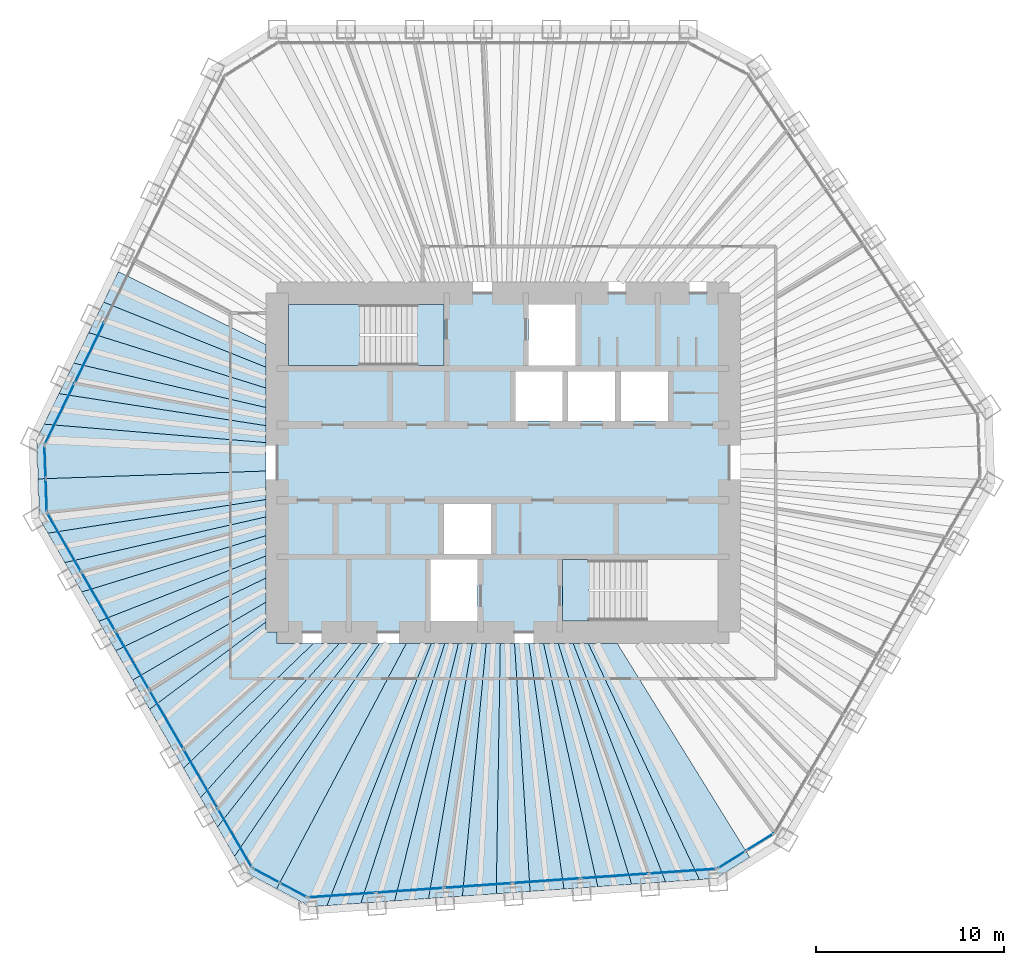
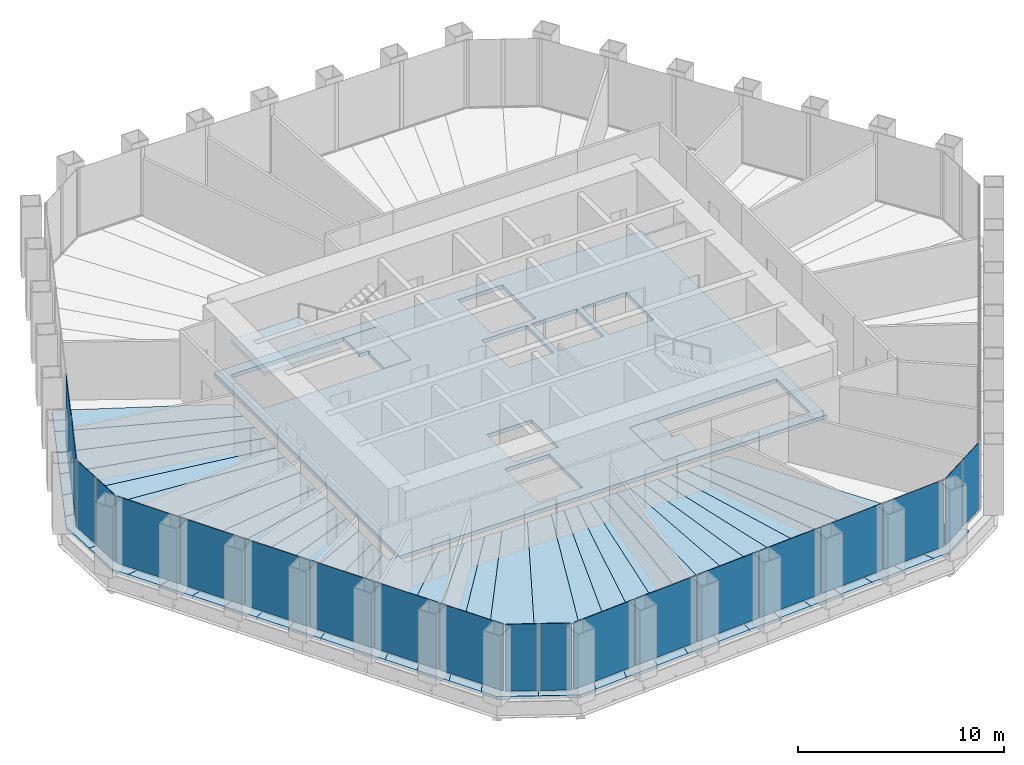
# One storey, part 8 of 14: 35 slabs, 20 plates, 8 elements without a shape of their own.
"""IFC4 building model written with IfcOpenShell, lengths in metres."""

from ifc_helpers import new_model, si_unit, direction, frame, origin, origin_2d, place, context, subcontext, project, spatial, polyline, rectangle, outline, extrude, material, layer, layer_set, type_object, element, aggregate, save


model = new_model("IFC4")

# Units and contexts
model_context = context("Model", 3, precision=1e-05, world=origin(), true_north=direction((0.0, 1.0)))
body_context = subcontext(model_context, "Body", "Model", "MODEL_VIEW")
ifc_project = project(units=[si_unit("LENGTHUNIT", "METRE"), si_unit("AREAUNIT", "SQUARE_METRE"), si_unit("VOLUMEUNIT", "CUBIC_METRE"), si_unit("PLANEANGLEUNIT", "RADIAN"), si_unit("MASSUNIT", "GRAM", prefix="KILO")], contexts=[model_context])

# Site, building, storey
site_placement = place(None, origin())
site = spatial("IfcSite", under=ifc_project, at=site_placement, CompositionType="ELEMENT")
building_placement = place(site_placement, origin())
building = spatial("IfcBuilding", under=site, at=building_placement, Name="Qingtian Harvest Tower", CompositionType="ELEMENT")
storey_placement = place(building_placement, frame((0.0, 0.0, 239.199951171875)))
storey = spatial("IfcBuildingStorey", under=building, at=storey_placement, Name="L52", CompositionType="ELEMENT", Elevation=239.199951171875)

# Slabs
ifc_material_1 = material(Name="Concrete fc' 35 MPa", Category="concrete")
ifc_layer_1 = layer(ifc_material_1, 0.169921875)
ifc_layer_set_1 = layer_set([ifc_layer_1], Name="Composite floor slab FS17 170")
slab_type_1 = type_object("IfcSlabType", Name="Composite floor slab FS17 170", PredefinedType="FLOOR", material=ifc_layer_set_1)
slab_1_placement = place(storey_placement, frame((0.0, 0.0, -0.169921875)))
element("IfcSlab", 1, at=slab_1_placement, inside=storey, type_object=slab_type_1, Name="Floor slab L52 panel D01", PredefinedType="FLOOR", context=body_context, shape_type="SweptSolid", body=[
    extrude(outline(polyline([(-24.6865234375, -0.862060546875), (-12.60009765625, -0.443115234375), (-12.60009765625, -1.958984375), (-24.17236328125, -3.742431640625), (-24.612548828125, -2.979736328125), (-24.6865234375, -0.862060546875)])), origin(), (0.0, 0.0, 1.0), 0.169921875),
])
slab_2_placement = place(storey_placement, frame((0.0, 0.0, -0.169921875)))
element("IfcSlab", 2, at=slab_2_placement, inside=storey, type_object=slab_type_1, Name="Floor slab L52 panel D02", PredefinedType="FLOOR", context=body_context, shape_type="SweptSolid", body=[
    extrude(outline(polyline([(-12.60009765625, -2.880126953125), (-23.271484375, -5.302490234375), (-24.17236328125, -3.742431640625), (-12.60009765625, -1.958984375), (-12.60009765625, -2.880126953125)])), origin(), (0.0, 0.0, 1.0), 0.169921875),
])
slab_3_placement = place(storey_placement, frame((0.0, 0.0, -0.169921875)))
element("IfcSlab", 3, at=slab_3_placement, inside=storey, type_object=slab_type_1, Name="Floor slab L52 panel D03", PredefinedType="FLOOR", context=body_context, shape_type="SweptSolid", body=[
    extrude(outline(polyline([(-12.60009765625, -3.87548828125), (-22.370849609375, -6.862548828125), (-23.271484375, -5.302490234375), (-12.60009765625, -2.880126953125), (-12.60009765625, -3.87548828125)])), origin(), (0.0, 0.0, 1.0), 0.169921875),
])
slab_4_placement = place(storey_placement, frame((0.0, 0.0, -0.169921875)))
element("IfcSlab", 4, at=slab_4_placement, inside=storey, type_object=slab_type_1, Name="Floor slab L52 panel D04", PredefinedType="FLOOR", context=body_context, shape_type="SweptSolid", body=[
    extrude(outline(polyline([(-12.60009765625, -4.95458984375), (-21.47021484375, -8.422607421875), (-22.370849609375, -6.862548828125), (-12.60009765625, -3.87548828125), (-12.60009765625, -4.95458984375)])), origin(), (0.0, 0.0, 1.0), 0.169921875),
])
slab_5_placement = place(storey_placement, frame((0.0, 0.0, -0.169921875)))
element("IfcSlab", 5, at=slab_5_placement, inside=storey, type_object=slab_type_1, Name="Floor slab L52 panel D05", PredefinedType="FLOOR", context=body_context, shape_type="SweptSolid", body=[
    extrude(outline(polyline([(-12.60009765625, -6.128173828125), (-20.569580078125, -9.982666015625), (-21.47021484375, -8.422607421875), (-12.60009765625, -4.95458984375), (-12.60009765625, -6.128173828125)])), origin(), (0.0, 0.0, 1.0), 0.169921875),
])
slab_6_placement = place(storey_placement, frame((0.0, 0.0, -0.169921875)))
element("IfcSlab", 6, at=slab_6_placement, inside=storey, type_object=slab_type_1, Name="Floor slab L52 panel D06", PredefinedType="FLOOR", context=body_context, shape_type="SweptSolid", body=[
    extrude(outline(polyline([(-12.60009765625, -7.409423828125), (-19.668701171875, -11.542724609375), (-20.569580078125, -9.982666015625), (-12.60009765625, -6.128173828125), (-12.60009765625, -7.409423828125)])), origin(), (0.0, 0.0, 1.0), 0.169921875),
])
slab_7_placement = place(storey_placement, frame((0.0, 0.0, -0.169921875)))
element("IfcSlab", 7, at=slab_7_placement, inside=storey, type_object=slab_type_1, Name="Floor slab L52 panel D07", PredefinedType="FLOOR", context=body_context, shape_type="SweptSolid", body=[
    extrude(outline(polyline([(-12.60009765625, -8.46435546875), (-18.771728515625, -13.0966796875), (-19.668701171875, -11.542724609375), (-12.60009765625, -7.409423828125), (-12.60009765625, -8.46435546875)])), origin(), (0.0, 0.0, 1.0), 0.169921875),
])
slab_8_placement = place(storey_placement, frame((0.0, 0.0, -0.169921875)))
element("IfcSlab", 8, at=slab_8_placement, inside=storey, type_object=slab_type_1, Name="Floor slab L52 panel D09", PredefinedType="FLOOR", context=body_context, shape_type="SweptSolid", body=[
    extrude(outline(polyline([(-16.967041015625, -16.22216796875), (-18.771728515625, -13.0966796875), (-12.60009765625, -8.46435546875), (-12.60009765625, -9.0), (-12.0, -9.0), (-12.0, -9.60009765625), (-10.07666015625, -9.60009765625), (-16.967041015625, -16.22216796875)])), origin(), (0.0, 0.0, 1.0), 0.169921875),
])
slab_9_placement = place(storey_placement, frame((0.0, 0.0, -0.169921875)))
element("IfcSlab", 9, at=slab_9_placement, inside=storey, type_object=slab_type_1, Name="Floor slab L52 panel D10", PredefinedType="FLOOR", context=body_context, shape_type="SweptSolid", body=[
    extrude(outline(polyline([(-8.700927734375, -9.60009765625), (-16.06640625, -17.7822265625), (-16.967041015625, -16.22216796875), (-10.07666015625, -9.60009765625), (-8.700927734375, -9.60009765625)])), origin(), (0.0, 0.0, 1.0), 0.169921875),
])
slab_10_placement = place(storey_placement, frame((0.0, 0.0, -0.169921875)))
element("IfcSlab", 10, at=slab_10_placement, inside=storey, type_object=slab_type_1, Name="Floor slab L52 panel D11", PredefinedType="FLOOR", context=body_context, shape_type="SweptSolid", body=[
    extrude(outline(polyline([(-7.548095703125, -9.60009765625), (-15.16552734375, -19.34228515625), (-16.06640625, -17.7822265625), (-8.700927734375, -9.60009765625), (-7.548095703125, -9.60009765625)])), origin(), (0.0, 0.0, 1.0), 0.169921875),
])
slab_11_placement = place(storey_placement, frame((0.0, 0.0, -0.169921875)))
element("IfcSlab", 11, at=slab_11_placement, inside=storey, type_object=slab_type_1, Name="Floor slab L52 panel D12", PredefinedType="FLOOR", context=body_context, shape_type="SweptSolid", body=[
    extrude(outline(polyline([(-6.568359375, -9.60009765625), (-14.264892578125, -20.90234375), (-15.16552734375, -19.34228515625), (-7.548095703125, -9.60009765625), (-6.568359375, -9.60009765625)])), origin(), (0.0, 0.0, 1.0), 0.169921875),
])
slab_12_placement = place(storey_placement, frame((0.0, 0.0, -0.169921875)))
element("IfcSlab", 12, at=slab_12_placement, inside=storey, type_object=slab_type_1, Name="Floor slab L52 panel D13", PredefinedType="FLOOR", context=body_context, shape_type="SweptSolid", body=[
    extrude(outline(polyline([(-6.568359375, -9.60009765625), (-5.14501953125, -9.60009765625), (-12.028076171875, -22.620361328125), (-13.82470703125, -21.6650390625), (-14.264892578125, -20.90234375), (-6.568359375, -9.60009765625)])), origin(), (0.0, 0.0, 1.0), 0.169921875),
])
slab_13_placement = place(storey_placement, frame((0.0, 0.0, -0.169921875)))
element("IfcSlab", 13, at=slab_13_placement, inside=storey, type_object=slab_type_1, Name="Floor slab L52 panel D14", PredefinedType="FLOOR", context=body_context, shape_type="SweptSolid", body=[
    extrude(outline(polyline([(-5.14501953125, -9.60009765625), (-3.817138671875, -9.60009765625), (-9.352294921875, -23.5146484375), (-10.23046875, -23.576171875), (-12.028076171875, -22.620361328125), (-5.14501953125, -9.60009765625)])), origin(), (0.0, 0.0, 1.0), 0.169921875),
])
slab_14_placement = place(storey_placement, frame((0.0, 0.0, -0.169921875)))
element("IfcSlab", 14, at=slab_14_placement, inside=storey, type_object=slab_type_1, Name="Floor slab L52 panel D15", PredefinedType="FLOOR", context=body_context, shape_type="SweptSolid", body=[
    extrude(outline(polyline([(-3.10009765625, -9.60009765625), (-7.55517578125, -23.388916015625), (-9.352294921875, -23.5146484375), (-3.817138671875, -9.60009765625), (-3.10009765625, -9.60009765625)])), origin(), (0.0, 0.0, 1.0), 0.169921875),
])
slab_15_placement = place(storey_placement, frame((0.0, 0.0, -0.169921875)))
element("IfcSlab", 15, at=slab_15_placement, inside=storey, type_object=slab_type_1, Name="Floor slab L52 panel D16", PredefinedType="FLOOR", context=body_context, shape_type="SweptSolid", body=[
    extrude(outline(polyline([(-2.375244140625, -9.60009765625), (-5.75830078125, -23.263427734375), (-7.55517578125, -23.388916015625), (-3.10009765625, -9.60009765625), (-2.375244140625, -9.60009765625)])), origin(), (0.0, 0.0, 1.0), 0.169921875),
])
slab_16_placement = place(storey_placement, frame((0.0, 0.0, -0.169921875)))
element("IfcSlab", 16, at=slab_16_placement, inside=storey, type_object=slab_type_1, Name="Floor slab L52 panel D17", PredefinedType="FLOOR", context=body_context, shape_type="SweptSolid", body=[
    extrude(outline(polyline([(-1.642578125, -9.60009765625), (-3.96142578125, -23.1376953125), (-5.75830078125, -23.263427734375), (-2.375244140625, -9.60009765625), (-1.642578125, -9.60009765625)])), origin(), (0.0, 0.0, 1.0), 0.169921875),
])
slab_17_placement = place(storey_placement, frame((0.0, 0.0, -0.169921875)))
element("IfcSlab", 17, at=slab_17_placement, inside=storey, type_object=slab_type_1, Name="Floor slab L52 panel D18", PredefinedType="FLOOR", context=body_context, shape_type="SweptSolid", body=[
    extrude(outline(polyline([(-0.90185546875, -9.60009765625), (-2.164306640625, -23.011962890625), (-3.96142578125, -23.1376953125), (-1.642578125, -9.60009765625), (-0.90185546875, -9.60009765625)])), origin(), (0.0, 0.0, 1.0), 0.169921875),
])
slab_18_placement = place(storey_placement, frame((0.0, 0.0, -0.169921875)))
element("IfcSlab", 18, at=slab_18_placement, inside=storey, type_object=slab_type_1, Name="Floor slab L52 panel D19", PredefinedType="FLOOR", context=body_context, shape_type="SweptSolid", body=[
    extrude(outline(polyline([(-0.153076171875, -9.60009765625), (-0.367431640625, -22.886474609375), (-2.164306640625, -23.011962890625), (-0.90185546875, -9.60009765625), (-0.153076171875, -9.60009765625)])), origin(), (0.0, 0.0, 1.0), 0.169921875),
])
slab_19_placement = place(storey_placement, frame((0.0, 0.0, -0.169921875)))
element("IfcSlab", 19, at=slab_19_placement, inside=storey, type_object=slab_type_1, Name="Floor slab L52 panel D20", PredefinedType="FLOOR", context=body_context, shape_type="SweptSolid", body=[
    extrude(outline(polyline([(0.60400390625, -9.60009765625), (1.4296875, -22.7607421875), (-0.367431640625, -22.886474609375), (-0.153076171875, -9.60009765625), (0.60400390625, -9.60009765625)])), origin(), (0.0, 0.0, 1.0), 0.169921875),
])
slab_20_placement = place(storey_placement, frame((0.0, 0.0, -0.169921875)))
element("IfcSlab", 20, at=slab_20_placement, inside=storey, type_object=slab_type_1, Name="Floor slab L52 panel D21", PredefinedType="FLOOR", context=body_context, shape_type="SweptSolid", body=[
    extrude(outline(polyline([(1.36962890625, -9.60009765625), (3.2265625, -22.635009765625), (1.4296875, -22.7607421875), (0.60400390625, -9.60009765625), (1.36962890625, -9.60009765625)])), origin(), (0.0, 0.0, 1.0), 0.169921875),
])
slab_21_placement = place(storey_placement, frame((0.0, 0.0, -0.169921875)))
element("IfcSlab", 21, at=slab_21_placement, inside=storey, type_object=slab_type_1, Name="Floor slab L52 panel D22", PredefinedType="FLOOR", context=body_context, shape_type="SweptSolid", body=[
    extrude(outline(polyline([(2.1435546875, -9.60009765625), (5.023681640625, -22.509521484375), (3.2265625, -22.635009765625), (1.36962890625, -9.60009765625), (2.1435546875, -9.60009765625)])), origin(), (0.0, 0.0, 1.0), 0.169921875),
])
slab_22_placement = place(storey_placement, frame((0.0, 0.0, -0.169921875)))
element("IfcSlab", 22, at=slab_22_placement, inside=storey, type_object=slab_type_1, Name="Floor slab L52 panel D23", PredefinedType="FLOOR", context=body_context, shape_type="SweptSolid", body=[
    extrude(outline(polyline([(2.92626953125, -9.60009765625), (6.820556640625, -22.3837890625), (5.023681640625, -22.509521484375), (2.1435546875, -9.60009765625), (2.92626953125, -9.60009765625)])), origin(), (0.0, 0.0, 1.0), 0.169921875),
])
slab_23_placement = place(storey_placement, frame((0.0, 0.0, -0.169921875)))
element("IfcSlab", 23, at=slab_23_placement, inside=storey, type_object=slab_type_1, Name="Floor slab L52 panel D24", PredefinedType="FLOOR", context=body_context, shape_type="SweptSolid", body=[
    extrude(outline(polyline([(3.718017578125, -9.60009765625), (8.61767578125, -22.258056640625), (6.820556640625, -22.3837890625), (2.92626953125, -9.60009765625), (3.718017578125, -9.60009765625)])), origin(), (0.0, 0.0, 1.0), 0.169921875),
])
slab_24_placement = place(storey_placement, frame((0.0, 0.0, -0.169921875)))
element("IfcSlab", 24, at=slab_24_placement, inside=storey, type_object=slab_type_1, Name="Floor slab L52 panel D25", PredefinedType="FLOOR", context=body_context, shape_type="SweptSolid", body=[
    extrude(outline(polyline([(4.5185546875, -9.60009765625), (10.41455078125, -22.13232421875), (8.61767578125, -22.258056640625), (3.718017578125, -9.60009765625), (4.5185546875, -9.60009765625)])), origin(), (0.0, 0.0, 1.0), 0.169921875),
])
slab_25_placement = place(storey_placement, frame((0.0, 0.0, -0.169921875)))
element("IfcSlab", 25, at=slab_25_placement, inside=storey, type_object=slab_type_1, Name="Floor slab L52 panel D26", PredefinedType="FLOOR", context=body_context, shape_type="SweptSolid", body=[
    extrude(outline(polyline([(4.5185546875, -9.60009765625), (6.059326171875, -9.60009765625), (13.090576171875, -20.94775390625), (11.292724609375, -22.071044921875), (10.41455078125, -22.13232421875), (4.5185546875, -9.60009765625)])), origin(), (0.0, 0.0, 1.0), 0.169921875),
])
slab_26_placement = place(storey_placement, frame((0.0, 0.0, -0.169921875)))
element("IfcSlab", 26, at=slab_26_placement, inside=storey, type_object=slab_type_1, Name="Floor slab L52 panel D73", PredefinedType="FLOOR", context=body_context, shape_type="SweptSolid", body=[
    extrude(outline(polyline([(-12.60009765625, 5.072509765625), (-21.2158203125, 8.5234375), (-20.426025390625, 10.142578125), (-12.60009765625, 6.268310546875), (-12.60009765625, 5.072509765625)])), origin(), (0.0, 0.0, 1.0), 0.169921875),
])
slab_27_placement = place(storey_placement, frame((0.0, 0.0, -0.169921875)))
element("IfcSlab", 27, at=slab_27_placement, inside=storey, type_object=slab_type_1, Name="Floor slab L52 panel D74", PredefinedType="FLOOR", context=body_context, shape_type="SweptSolid", body=[
    extrude(outline(polyline([(-12.60009765625, 3.962890625), (-22.00537109375, 6.904296875), (-21.2158203125, 8.5234375), (-12.60009765625, 5.072509765625), (-12.60009765625, 3.962890625)])), origin(), (0.0, 0.0, 1.0), 0.169921875),
])
slab_28_placement = place(storey_placement, frame((0.0, 0.0, -0.169921875)))
element("IfcSlab", 28, at=slab_28_placement, inside=storey, type_object=slab_type_1, Name="Floor slab L52 panel D75", PredefinedType="FLOOR", context=body_context, shape_type="SweptSolid", body=[
    extrude(outline(polyline([(-12.60009765625, 2.929931640625), (-22.795166015625, 5.28515625), (-22.00537109375, 6.904296875), (-12.60009765625, 3.962890625), (-12.60009765625, 2.929931640625)])), origin(), (0.0, 0.0, 1.0), 0.169921875),
])
slab_29_placement = place(storey_placement, frame((0.0, 0.0, -0.169921875)))
element("IfcSlab", 29, at=slab_29_placement, inside=storey, type_object=slab_type_1, Name="Floor slab L52 panel D76", PredefinedType="FLOOR", context=body_context, shape_type="SweptSolid", body=[
    extrude(outline(polyline([(-12.60009765625, 1.96630859375), (-23.584716796875, 3.666259765625), (-22.795166015625, 5.28515625), (-12.60009765625, 2.929931640625), (-12.60009765625, 1.96630859375)])), origin(), (0.0, 0.0, 1.0), 0.169921875),
])
slab_30_placement = place(storey_placement, frame((0.0, 0.0, -0.169921875)))
element("IfcSlab", 30, at=slab_30_placement, inside=storey, type_object=slab_type_1, Name="Floor slab L52 panel D77", PredefinedType="FLOOR", context=body_context, shape_type="SweptSolid", body=[
    extrude(outline(polyline([(-12.60009765625, 1.065185546875), (-24.37451171875, 2.047119140625), (-23.584716796875, 3.666259765625), (-12.60009765625, 1.96630859375), (-12.60009765625, 1.065185546875)])), origin(), (0.0, 0.0, 1.0), 0.169921875),
])
slab_31_placement = place(storey_placement, frame((0.0, 0.0, -0.169921875)))
element("IfcSlab", 31, at=slab_31_placement, inside=storey, type_object=slab_type_1, Name="Floor slab L52 panel D78", PredefinedType="FLOOR", context=body_context, shape_type="SweptSolid", body=[
    extrude(outline(polyline([(-12.60009765625, 1.065185546875), (-12.60009765625, -0.443115234375), (-24.6865234375, -0.862060546875), (-24.760498046875, 1.255615234375), (-24.37451171875, 2.047119140625), (-12.60009765625, 1.065185546875)])), origin(), (0.0, 0.0, 1.0), 0.169921875),
])
ifc_material_2 = material(Name="Concrete fc' 35 MPa", Category="concrete")
ifc_layer_2 = layer(ifc_material_2, 0.219970703125)
ifc_layer_set_2 = layer_set([ifc_layer_2], Name="Core floor slab CS22 220")
slab_type_2 = type_object("IfcSlabType", Name="Core floor slab CS22 220", PredefinedType="FLOOR", material=ifc_layer_set_2)
slab_32_placement = place(storey_placement, frame((0.0, 0.0, -0.219970703125)))
element("IfcSlab", 32, at=slab_32_placement, inside=storey, type_object=slab_type_2, Name="Core floor slab L52", PredefinedType="FLOOR", context=body_context, shape_type="SweptSolid", body=[
    extrude(outline(polyline([(-12.0, -9.0), (12.0, -9.0), (12.0, 9.0), (-12.0, 9.0), (-12.0, -9.0)]), holes=[polyline([(-11.39990234375, 5.14990234375), (-3.14990234375, 5.14990234375), (-3.14990234375, 8.39990234375), (-11.39990234375, 8.39990234375), (-11.39990234375, 5.14990234375)]), polyline([(3.14990234375, -8.39990234375), (11.39990234375, -8.39990234375), (11.39990234375, -5.14990234375), (3.14990234375, -5.14990234375), (3.14990234375, -8.39990234375)]), polyline([(1.35009765625, 5.14990234375), (3.85009765625, 5.14990234375), (3.85009765625, 8.39990234375), (1.35009765625, 8.39990234375), (1.35009765625, 5.14990234375)]), polyline([(-3.85009765625, -8.39990234375), (-1.35009765625, -8.39990234375), (-1.35009765625, -5.14990234375), (-3.85009765625, -5.14990234375), (-3.85009765625, -8.39990234375)]), polyline([(0.64990234375, 2.199951171875), (3.14990234375, 2.199951171875), (3.14990234375, 4.85009765625), (0.64990234375, 4.85009765625), (0.64990234375, 2.199951171875)]), polyline([(3.449951171875, 2.199951171875), (5.949951171875, 2.199951171875), (5.949951171875, 4.85009765625), (3.449951171875, 4.85009765625), (3.449951171875, 2.199951171875)]), polyline([(6.25, 2.199951171875), (8.75, 2.199951171875), (8.75, 4.85009765625), (6.25, 4.85009765625), (6.25, 2.199951171875)]), polyline([(-3.14990234375, -4.85009765625), (-0.64990234375, -4.85009765625), (-0.64990234375, -2.199951171875), (-3.14990234375, -2.199951171875), (-3.14990234375, -4.85009765625)])]), origin(), (0.0, 0.0, 1.0), 0.219970703125),
])

# Curtain wall, plates
ifc_material_3 = material(Name="Bronze-anodised aluminium curtain wall", Category="aluminium")
curtain_wall_type = type_object("IfcCurtainWallType", Name="Curtain wall CW4 office", PredefinedType="USERDEFINED", material=ifc_material_3)
curtain_wall_1_placement = place(storey_placement, origin())
curtain_wall_1 = element("IfcCurtainWall", 33, at=curtain_wall_1_placement, inside=storey, type_object=curtain_wall_type, Name="Curtain wall CW4 L52 SEC", ObjectType="RECESSED CURTAIN WALL", PredefinedType="USERDEFINED")
ifc_material_4 = material(Name="Bronze-tinted laminated insulating glass", Category="glass")
ifc_layer_3 = layer(ifc_material_4, 0.030029296875)
ifc_layer_set_3 = layer_set([ifc_layer_3], Name="Glazed panel CWP tinted IGU")
plate_type = type_object("IfcPlateType", Name="Glazed panel CWP tinted IGU", PredefinedType="CURTAIN_PANEL", material=ifc_layer_set_3)
plate_1_placement = place(storey_placement, frame((13.624755859375, -20.1455078125, 0.06494140625), z_axis=(0.0, 0.0, 1.0), x_axis=(-0.848048096156, -0.529919264233, 0.0)))
plate_1 = element("IfcPlate", 34, at=plate_1_placement, type_object=plate_type, Name="CW4 panel 1.1", PredefinedType="CURTAIN_PANEL", context=body_context, shape_type="SweptSolid", body=[
    extrude(rectangle(XDim=1.69287109375, YDim=0.030029296875, at=origin_2d()), origin(), (0.0, 0.0, 1.0), 3.965087890625),
])
plate_2_placement = place(storey_placement, frame((12.134033203125, -21.076904296875, 0.06494140625), z_axis=(0.0, 0.0, 1.0), x_axis=(-0.848048096156, -0.529919264233, 0.0)))
plate_2 = element("IfcPlate", 35, at=plate_2_placement, type_object=plate_type, Name="CW4 panel 2.1", PredefinedType="CURTAIN_PANEL", context=body_context, shape_type="SweptSolid", body=[
    extrude(rectangle(XDim=1.69287109375, YDim=0.030029296875, at=origin_2d()), origin(), (0.0, 0.0, 1.0), 3.965087890625),
])
aggregate(curtain_wall_1, [plate_1, plate_2])

curtain_wall_2_placement = place(storey_placement, origin())
curtain_wall_2 = element("IfcCurtainWall", 36, at=curtain_wall_2_placement, inside=storey, type_object=curtain_wall_type, Name="Curtain wall CW4 L52 S0-5", ObjectType="RECESSED CURTAIN WALL", PredefinedType="USERDEFINED")
plate_3_placement = place(storey_placement, frame((9.532470703125, -21.68798828125, 0.06494140625), z_axis=(0.0, 0.0, 1.0), x_axis=(-0.99756405026, -0.069756473744, 0.0)))
plate_3 = element("IfcPlate", 37, at=plate_3_placement, type_object=plate_type, Name="CW4 panel 1.1", PredefinedType="CURTAIN_PANEL", context=body_context, shape_type="SweptSolid", body=[
    extrude(rectangle(XDim=3.5361328125, YDim=0.030029296875, at=origin_2d()), origin(), (0.0, 0.0, 1.0), 3.965087890625),
])
plate_4_placement = place(storey_placement, frame((5.923828125, -21.940185546875, 0.06494140625), z_axis=(0.0, 0.0, 1.0), x_axis=(-0.99756405026, -0.069756473744, 0.0)))
plate_4 = element("IfcPlate", 38, at=plate_4_placement, type_object=plate_type, Name="CW4 panel 2.1", PredefinedType="CURTAIN_PANEL", context=body_context, shape_type="SweptSolid", body=[
    extrude(rectangle(XDim=3.568603515625, YDim=0.030029296875, at=origin_2d()), origin(), (0.0, 0.0, 1.0), 3.965087890625),
])
plate_5_placement = place(storey_placement, frame((2.299072265625, -22.193603515625, 0.06494140625), z_axis=(0.0, 0.0, 1.0), x_axis=(-0.99756405026, -0.069756473744, 0.0)))
plate_5 = element("IfcPlate", 39, at=plate_5_placement, type_object=plate_type, Name="CW4 panel 3.1", PredefinedType="CURTAIN_PANEL", context=body_context, shape_type="SweptSolid", body=[
    extrude(rectangle(XDim=3.568603515625, YDim=0.030029296875, at=origin_2d()), origin(), (0.0, 0.0, 1.0), 3.965087890625),
])
plate_6_placement = place(storey_placement, frame((-1.325439453125, -22.447021484375, 0.06494140625), z_axis=(0.0, 0.0, 1.0), x_axis=(-0.99756405026, -0.069756473744, 0.0)))
plate_6 = element("IfcPlate", 40, at=plate_6_placement, type_object=plate_type, Name="CW4 panel 4.1", PredefinedType="CURTAIN_PANEL", context=body_context, shape_type="SweptSolid", body=[
    extrude(rectangle(XDim=3.568603515625, YDim=0.030029296875, at=origin_2d()), origin(), (0.0, 0.0, 1.0), 3.965087890625),
])
plate_7_placement = place(storey_placement, frame((-4.9501953125, -22.70068359375, 0.06494140625), z_axis=(0.0, 0.0, 1.0), x_axis=(-0.99756405026, -0.069756473744, 0.0)))
plate_7 = element("IfcPlate", 41, at=plate_7_placement, type_object=plate_type, Name="CW4 panel 5.1", PredefinedType="CURTAIN_PANEL", context=body_context, shape_type="SweptSolid", body=[
    extrude(rectangle(XDim=3.568603515625, YDim=0.030029296875, at=origin_2d()), origin(), (0.0, 0.0, 1.0), 3.965087890625),
])
plate_8_placement = place(storey_placement, frame((-8.55859375, -22.952880859375, 0.06494140625), z_axis=(0.0, 0.0, 1.0), x_axis=(-0.99756405026, -0.069756473744, 0.0)))
plate_8 = element("IfcPlate", 42, at=plate_8_placement, type_object=plate_type, Name="CW4 panel 6.1", PredefinedType="CURTAIN_PANEL", context=body_context, shape_type="SweptSolid", body=[
    extrude(rectangle(XDim=3.5361328125, YDim=0.030029296875, at=origin_2d()), origin(), (0.0, 0.0, 1.0), 3.965087890625),
])
aggregate(curtain_wall_2, [plate_3, plate_4, plate_5, plate_6, plate_7, plate_8])

curtain_wall_3_placement = place(storey_placement, origin())
curtain_wall_3 = element("IfcCurtainWall", 43, at=curtain_wall_3_placement, inside=storey, type_object=curtain_wall_type, Name="Curtain wall CW4 L52 SC", ObjectType="RECESSED CURTAIN WALL", PredefinedType="USERDEFINED")
plate_9_placement = place(storey_placement, frame((-11.136474609375, -22.682373046875, 0.06494140625), z_axis=(0.0, 0.0, 1.0), x_axis=(-0.882947592859, 0.469471562786, 0.0)))
plate_9 = element("IfcPlate", 44, at=plate_9_placement, type_object=plate_type, Name="CW4 panel 1.1", PredefinedType="CURTAIN_PANEL", context=body_context, shape_type="SweptSolid", body=[
    extrude(rectangle(XDim=1.56689453125, YDim=0.030029296875, at=origin_2d()), origin(), (0.0, 0.0, 1.0), 3.965087890625),
])
plate_10_placement = place(storey_placement, frame((-12.5771484375, -21.916259765625, 0.06494140625), z_axis=(0.0, 0.0, 1.0), x_axis=(-0.882947592859, 0.469471562786, 0.0)))
plate_10 = element("IfcPlate", 45, at=plate_10_placement, type_object=plate_type, Name="CW4 panel 2.1", PredefinedType="CURTAIN_PANEL", context=body_context, shape_type="SweptSolid", body=[
    extrude(rectangle(XDim=1.56689453125, YDim=0.030029296875, at=origin_2d()), origin(), (0.0, 0.0, 1.0), 3.965087890625),
])
aggregate(curtain_wall_3, [plate_9, plate_10])

curtain_wall_4_placement = place(storey_placement, origin())
curtain_wall_4 = element("IfcCurtainWall", 46, at=curtain_wall_4_placement, inside=storey, type_object=curtain_wall_type, Name="Curtain wall CW4 L52 SW0-5", ObjectType="RECESSED CURTAIN WALL", PredefinedType="USERDEFINED")
plate_11_placement = place(storey_placement, frame((-14.242919921875, -19.9306640625, 0.06494140625), z_axis=(0.0, 0.0, 1.0), x_axis=(-0.5, 0.866025403784, 0.0)))
plate_11 = element("IfcPlate", 47, at=plate_11_placement, type_object=plate_type, Name="CW4 panel 1.1", PredefinedType="CURTAIN_PANEL", context=body_context, shape_type="SweptSolid", body=[
    extrude(rectangle(XDim=3.5361328125, YDim=0.030029296875, at=origin_2d()), origin(), (0.0, 0.0, 1.0), 3.965087890625),
])
plate_12_placement = place(storey_placement, frame((-16.051513671875, -16.7978515625, 0.06494140625), z_axis=(0.0, 0.0, 1.0), x_axis=(-0.5, 0.866025403784, 0.0)))
plate_12 = element("IfcPlate", 48, at=plate_12_placement, type_object=plate_type, Name="CW4 panel 2.1", PredefinedType="CURTAIN_PANEL", context=body_context, shape_type="SweptSolid", body=[
    extrude(rectangle(XDim=3.568603515625, YDim=0.030029296875, at=origin_2d()), origin(), (0.0, 0.0, 1.0), 3.965087890625),
])
plate_13_placement = place(storey_placement, frame((-17.868408203125, -13.651123046875, 0.06494140625), z_axis=(0.0, 0.0, 1.0), x_axis=(-0.5, 0.866025403784, 0.0)))
plate_13 = element("IfcPlate", 49, at=plate_13_placement, type_object=plate_type, Name="CW4 panel 3.1", PredefinedType="CURTAIN_PANEL", context=body_context, shape_type="SweptSolid", body=[
    extrude(rectangle(XDim=3.568603515625, YDim=0.030029296875, at=origin_2d()), origin(), (0.0, 0.0, 1.0), 3.965087890625),
])
plate_14_placement = place(storey_placement, frame((-19.68505859375, -10.50439453125, 0.06494140625), z_axis=(0.0, 0.0, 1.0), x_axis=(-0.5, 0.866025403784, 0.0)))
plate_14 = element("IfcPlate", 50, at=plate_14_placement, type_object=plate_type, Name="CW4 panel 4.1", PredefinedType="CURTAIN_PANEL", context=body_context, shape_type="SweptSolid", body=[
    extrude(rectangle(XDim=3.568603515625, YDim=0.030029296875, at=origin_2d()), origin(), (0.0, 0.0, 1.0), 3.965087890625),
])
plate_15_placement = place(storey_placement, frame((-21.501953125, -7.357666015625, 0.06494140625), z_axis=(0.0, 0.0, 1.0), x_axis=(-0.5, 0.866025403784, 0.0)))
plate_15 = element("IfcPlate", 51, at=plate_15_placement, type_object=plate_type, Name="CW4 panel 5.1", PredefinedType="CURTAIN_PANEL", context=body_context, shape_type="SweptSolid", body=[
    extrude(rectangle(XDim=3.568603515625, YDim=0.030029296875, at=origin_2d()), origin(), (0.0, 0.0, 1.0), 3.965087890625),
])
plate_16_placement = place(storey_placement, frame((-23.310546875, -4.22509765625, 0.06494140625), z_axis=(0.0, 0.0, 1.0), x_axis=(-0.5, 0.866025403784, 0.0)))
plate_16 = element("IfcPlate", 52, at=plate_16_placement, type_object=plate_type, Name="CW4 panel 6.1", PredefinedType="CURTAIN_PANEL", context=body_context, shape_type="SweptSolid", body=[
    extrude(rectangle(XDim=3.5361328125, YDim=0.030029296875, at=origin_2d()), origin(), (0.0, 0.0, 1.0), 3.965087890625),
])
aggregate(curtain_wall_4, [plate_11, plate_12, plate_13, plate_14, plate_15, plate_16])

curtain_wall_5_placement = place(storey_placement, origin())
curtain_wall_5 = element("IfcCurtainWall", 53, at=curtain_wall_5_placement, inside=storey, type_object=curtain_wall_type, Name="Curtain wall CW4 L52 SWC", ObjectType="RECESSED CURTAIN WALL", PredefinedType="USERDEFINED")
plate_17_placement = place(storey_placement, frame((-24.2587890625, -1.7265625, 0.06494140625), z_axis=(0.0, 0.0, 1.0), x_axis=(-0.034899496703, 0.999390827019, 0.0)))
plate_17 = element("IfcPlate", 54, at=plate_17_placement, type_object=plate_type, Name="CW4 panel 1.1", PredefinedType="CURTAIN_PANEL", context=body_context, shape_type="SweptSolid", body=[
    extrude(rectangle(XDim=1.69287109375, YDim=0.030029296875, at=origin_2d()), origin(), (0.0, 0.0, 1.0), 3.965087890625),
])
plate_18_placement = place(storey_placement, frame((-24.320068359375, 0.0302734375, 0.06494140625), z_axis=(0.0, 0.0, 1.0), x_axis=(-0.034899496703, 0.999390827019, 0.0)))
plate_18 = element("IfcPlate", 55, at=plate_18_placement, type_object=plate_type, Name="CW4 panel 2.1", PredefinedType="CURTAIN_PANEL", context=body_context, shape_type="SweptSolid", body=[
    extrude(rectangle(XDim=1.69287109375, YDim=0.030029296875, at=origin_2d()), origin(), (0.0, 0.0, 1.0), 3.965087890625),
])
aggregate(curtain_wall_5, [plate_17, plate_18])

curtain_wall_6_placement = place(storey_placement, origin())
curtain_wall_6 = element("IfcCurtainWall", 56, at=curtain_wall_6_placement, inside=storey, type_object=curtain_wall_type, Name="Curtain wall CW4 L52 NW0-5", ObjectType="RECESSED CURTAIN WALL", PredefinedType="USERDEFINED")
plate_19_placement = place(storey_placement, frame((-23.54833984375, 2.588623046875, 0.06494140625), z_axis=(0.0, 0.0, 1.0), x_axis=(0.438371146789, 0.898794046299, 0.0)))
plate_19 = element("IfcPlate", 57, at=plate_19_placement, type_object=plate_type, Name="CW4 panel 1.1", PredefinedType="CURTAIN_PANEL", context=body_context, shape_type="SweptSolid", body=[
    extrude(rectangle(XDim=3.5361328125, YDim=0.030029296875, at=origin_2d()), origin(), (0.0, 0.0, 1.0), 3.965087890625),
])
plate_20_placement = place(storey_placement, frame((-21.962646484375, 5.83984375, 0.06494140625), z_axis=(0.0, 0.0, 1.0), x_axis=(0.438371146789, 0.898794046299, 0.0)))
plate_20 = element("IfcPlate", 58, at=plate_20_placement, type_object=plate_type, Name="CW4 panel 2.1", PredefinedType="CURTAIN_PANEL", context=body_context, shape_type="SweptSolid", body=[
    extrude(rectangle(XDim=3.568603515625, YDim=0.030029296875, at=origin_2d()), origin(), (0.0, 0.0, 1.0), 3.965087890625),
])
aggregate(curtain_wall_6, [plate_19, plate_20])

# Stair, slabs
ifc_material_5 = material(Name="Concrete fc' 35 MPa", Category="concrete")
stair_type = type_object("IfcStairType", Name="Special stair ST4 4200", PredefinedType="HALF_TURN_STAIR", material=ifc_material_5)
stair_1_placement = place(storey_placement, origin())
stair_1 = element("IfcStair", 59, at=stair_1_placement, inside=storey, type_object=stair_type, Name="Special stair S1 L52", PredefinedType="HALF_TURN_STAIR")
ifc_material_6 = material(Name="Concrete fc' 35 MPa", Category="concrete")
ifc_layer_4 = layer(ifc_material_6, 0.199951171875)
ifc_layer_set_4 = layer_set([ifc_layer_4], Name="Stair landing SL2 200")
slab_type_3 = type_object("IfcSlabType", Name="Stair landing SL2 200", PredefinedType="LANDING", material=ifc_layer_set_4)
slab_33_placement = place(storey_placement, frame((0.0, 0.0, -0.199951171875)))
slab_33 = element("IfcSlab", 60, at=slab_33_placement, type_object=slab_type_3, Name="S1 landing 1", PredefinedType="LANDING", context=body_context, shape_type="SweptSolid", body=[
    extrude(outline(polyline([(-4.64990234375, 5.14990234375), (-4.64990234375, 6.72509765625), (-4.550048828125, 6.72509765625), (-4.550048828125, 6.824951171875), (-5.0849609375, 6.824951171875), (-5.0849609375, 8.39990234375), (-3.14990234375, 8.39990234375), (-3.14990234375, 5.14990234375), (-4.64990234375, 5.14990234375)])), origin(), (0.0, 0.0, 1.0), 0.199951171875),
])
slab_34_placement = place(storey_placement, frame((0.0, 0.0, 1.900146484375)))
slab_34 = element("IfcSlab", 61, at=slab_34_placement, type_object=slab_type_3, Name="S1 landing 2", PredefinedType="LANDING", context=body_context, shape_type="SweptSolid", body=[
    extrude(outline(polyline([(-7.094970703125, 5.14990234375), (-11.39990234375, 5.14990234375), (-11.39990234375, 8.39990234375), (-7.530029296875, 8.39990234375), (-7.530029296875, 6.824951171875), (-7.6298828125, 6.824951171875), (-7.6298828125, 6.72509765625), (-7.094970703125, 6.72509765625), (-7.094970703125, 5.14990234375)])), origin(), (0.0, 0.0, 1.0), 0.199951171875),
])
aggregate(stair_1, [slab_33, slab_34])

# Stair, slab
stair_2_placement = place(storey_placement, origin())
stair_2 = element("IfcStair", 62, at=stair_2_placement, inside=storey, type_object=stair_type, Name="Special stair S2 L52", PredefinedType="HALF_TURN_STAIR")
slab_35_placement = place(storey_placement, frame((0.0, 0.0, -0.199951171875)))
slab_35 = element("IfcSlab", 63, at=slab_35_placement, type_object=slab_type_3, Name="S2 landing 1", PredefinedType="LANDING", context=body_context, shape_type="SweptSolid", body=[
    extrude(outline(polyline([(5.0849609375, -8.39990234375), (3.14990234375, -8.39990234375), (3.14990234375, -5.14990234375), (4.64990234375, -5.14990234375), (4.64990234375, -6.72509765625), (4.550048828125, -6.72509765625), (4.550048828125, -6.824951171875), (5.0849609375, -6.824951171875), (5.0849609375, -8.39990234375)])), origin(), (0.0, 0.0, 1.0), 0.199951171875),
])
aggregate(stair_2, [slab_35])

save(model, "model.ifc")
